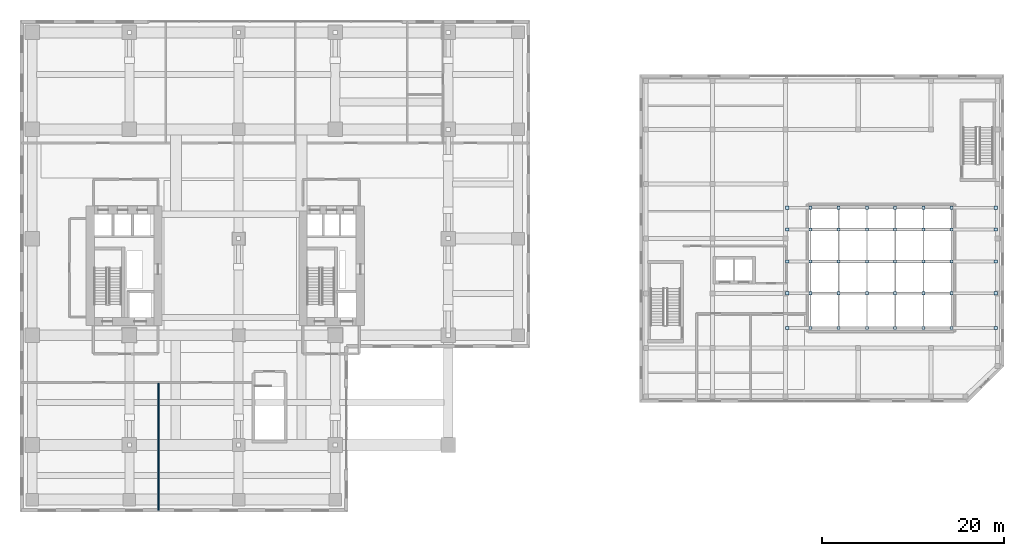
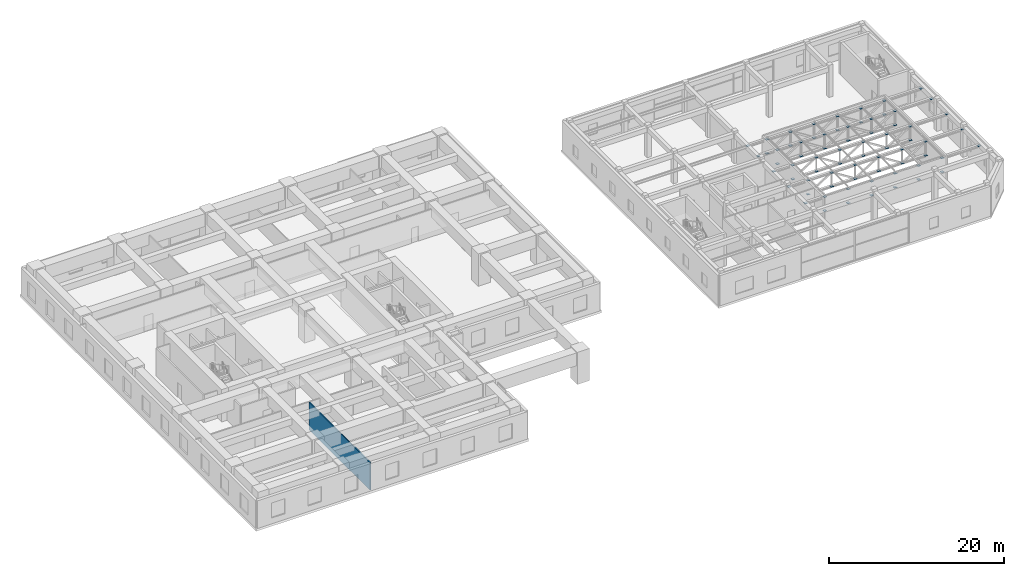
# One storey, part 23 of 33: 70 plates, 1 wall.
"""IFC4 building model written with IfcOpenShell, lengths in metres."""

from ifc_helpers import new_model, si_unit, direction, frame, frame_2d, origin, origin_2d, place, context, subcontext, project, spatial, rectangle, extrude, source, transform, mapped, material, layer, layer_set, type_object, element, save


model = new_model("IFC4")

# Units and contexts
model_context = context("Model", 3, precision=1e-05, world=origin(), true_north=direction((0.0, 1.0)))
body_context = subcontext(model_context, "Body", "Model", "MODEL_VIEW")
ifc_project = project(units=[si_unit("LENGTHUNIT", "METRE"), si_unit("AREAUNIT", "SQUARE_METRE"), si_unit("VOLUMEUNIT", "CUBIC_METRE"), si_unit("PLANEANGLEUNIT", "RADIAN"), si_unit("MASSUNIT", "GRAM", prefix="KILO")], contexts=[model_context])

# Site, building, storey
site_placement = place(None, origin())
site = spatial("IfcSite", under=ifc_project, at=site_placement, CompositionType="ELEMENT")
building_placement = place(site_placement, origin())
building = spatial("IfcBuilding", under=site, at=building_placement, Name="Khoralis Quay Care Tower", CompositionType="ELEMENT")
storey_placement = place(building_placement, frame((0.0, 0.0, 18.0)))
storey = spatial("IfcBuildingStorey", under=building, at=storey_placement, Name="L04", CompositionType="ELEMENT", Elevation=18.0)

# Plates
ifc_material_1 = material(Name="Steel S355", Category="steel")
ifc_layer_1 = layer(ifc_material_1, 0.02001953125)
ifc_layer_set_1 = layer_set([ifc_layer_1], Name="Steel S355")
plate_type = type_object("IfcPlateType", Name="PLT-CAP-350", PredefinedType="USERDEFINED", material=ifc_layer_set_1)
shared_shape = source(origin(), body_context, "Body", "SweptSolid", [
    extrude(rectangle(XDim=0.35009765625, YDim=0.35009765625, at=origin_2d()), origin(), (0.0, 0.0, 1.0), 0.02001953125),
])
for number, where, z_axis, x_axis, name in (
    (1, (84.215087890625, 14.199951171875, 3.7900390625), (0.0, 0.0, 1.0), (1.0, 0.0, 0.0), "PLT-SCCP-1-W"),
    (2, (107.0849609375, 14.199951171875, 3.7900390625), (0.0, 0.0, 1.0), (1.0, 0.0, 0.0), "PLT-SCCP-1-E"),
    (3, (86.75, 14.199951171875, 1.840087890625), (0.0, 0.0, 1.0), (1.0, 0.0, 0.0), "PLT-SCCP-1-0A"),
    (4, (89.85009765625, 14.199951171875, 3.7900390625), (0.0, 0.0, 1.0), (1.0, 0.0, 0.0), "PLT-SCCP-1-0B"),
    (5, (92.949951171875, 14.199951171875, 1.840087890625), (0.0, 0.0, 1.0), (1.0, 0.0, 0.0), "PLT-SCCP-1-1B"),
    (6, (96.050048828125, 14.199951171875, 3.7900390625), (0.0, 0.0, 1.0), (1.0, 0.0, 0.0), "PLT-SCCP-1-2B"),
    (7, (99.14990234375, 14.199951171875, 1.840087890625), (0.0, 0.0, 1.0), (1.0, 0.0, 0.0), "PLT-SCCP-1-3B"),
    (8, (102.25, 14.199951171875, 3.7900390625), (0.0, 0.0, 1.0), (1.0, 0.0, 0.0), "PLT-SCCP-1-4B"),
    (9, (86.75, 14.199951171875, 3.7900390625), (0.0, 0.0, 1.0), (1.0, 0.0, 0.0), "PLT-SCVT-1-0B"),
    (10, (89.85009765625, 14.199951171875, 1.840087890625), (0.0, 0.0, 1.0), (1.0, 0.0, 0.0), "PLT-SCVT-1-1A"),
    (11, (92.949951171875, 14.199951171875, 3.7900390625), (0.0, 0.0, 1.0), (1.0, 0.0, 0.0), "PLT-SCVT-1-2B"),
    (12, (96.050048828125, 14.199951171875, 1.840087890625), (0.0, 0.0, 1.0), (1.0, 0.0, 0.0), "PLT-SCVT-1-3A"),
    (13, (99.14990234375, 14.199951171875, 3.7900390625), (0.0, 0.0, 1.0), (1.0, 0.0, 0.0), "PLT-SCVT-1-4B"),
    (14, (102.25, 14.199951171875, 1.840087890625), (0.0, 0.0, 1.0), (1.0, 0.0, 0.0), "PLT-SCVT-1-5A"),
    (15, (84.215087890625, 18.0, 3.7900390625), (0.0, 0.0, 1.0), (1.0, 0.0, 0.0), "PLT-SCCP-2-W"),
    (16, (107.0849609375, 18.0, 3.7900390625), (0.0, 0.0, 1.0), (1.0, 0.0, 0.0), "PLT-SCCP-2-E"),
    (17, (86.75, 18.0, 1.840087890625), (0.0, 0.0, 1.0), (1.0, 0.0, 0.0), "PLT-SCCP-2-0A"),
    (18, (89.85009765625, 18.0, 3.7900390625), (0.0, 0.0, 1.0), (1.0, 0.0, 0.0), "PLT-SCCP-2-0B"),
    (19, (92.949951171875, 18.0, 1.840087890625), (0.0, 0.0, 1.0), (1.0, 0.0, 0.0), "PLT-SCCP-2-1B"),
    (20, (96.050048828125, 18.0, 3.7900390625), (0.0, 0.0, 1.0), (1.0, 0.0, 0.0), "PLT-SCCP-2-2B"),
    (21, (99.14990234375, 18.0, 1.840087890625), (0.0, 0.0, 1.0), (1.0, 0.0, 0.0), "PLT-SCCP-2-3B"),
    (22, (102.25, 18.0, 3.7900390625), (0.0, 0.0, 1.0), (1.0, 0.0, 0.0), "PLT-SCCP-2-4B"),
    (23, (86.75, 18.0, 3.7900390625), (0.0, 0.0, 1.0), (1.0, 0.0, 0.0), "PLT-SCVT-2-0B"),
    (24, (89.85009765625, 18.0, 1.840087890625), (0.0, 0.0, 1.0), (1.0, 0.0, 0.0), "PLT-SCVT-2-1A"),
    (25, (92.949951171875, 18.0, 3.7900390625), (0.0, 0.0, 1.0), (1.0, 0.0, 0.0), "PLT-SCVT-2-2B"),
    (26, (96.050048828125, 18.0, 1.840087890625), (0.0, 0.0, 1.0), (1.0, 0.0, 0.0), "PLT-SCVT-2-3A"),
    (27, (99.14990234375, 18.0, 3.7900390625), (0.0, 0.0, 1.0), (1.0, 0.0, 0.0), "PLT-SCVT-2-4B"),
    (28, (102.25, 18.0, 1.840087890625), (0.0, 0.0, 1.0), (1.0, 0.0, 0.0), "PLT-SCVT-2-5A"),
    (29, (84.215087890625, 21.5, 3.7900390625), (0.0, 0.0, 1.0), (1.0, 0.0, 0.0), "PLT-SCCP-3-W"),
    (30, (107.0849609375, 21.5, 3.7900390625), (0.0, 0.0, 1.0), (1.0, 0.0, 0.0), "PLT-SCCP-3-E"),
    (31, (86.75, 21.5, 1.840087890625), (0.0, 0.0, 1.0), (1.0, 0.0, 0.0), "PLT-SCCP-3-0A"),
    (32, (89.85009765625, 21.5, 3.7900390625), (0.0, 0.0, 1.0), (1.0, 0.0, 0.0), "PLT-SCCP-3-0B"),
    (33, (92.949951171875, 21.5, 1.840087890625), (0.0, 0.0, 1.0), (1.0, 0.0, 0.0), "PLT-SCCP-3-1B"),
    (34, (96.050048828125, 21.5, 3.7900390625), (0.0, 0.0, 1.0), (1.0, 0.0, 0.0), "PLT-SCCP-3-2B"),
    (35, (99.14990234375, 21.5, 1.840087890625), (0.0, 0.0, 1.0), (1.0, 0.0, 0.0), "PLT-SCCP-3-3B"),
    (36, (102.25, 21.5, 3.7900390625), (0.0, 0.0, 1.0), (1.0, 0.0, 0.0), "PLT-SCCP-3-4B"),
    (37, (86.75, 21.5, 3.7900390625), (0.0, 0.0, 1.0), (1.0, 0.0, 0.0), "PLT-SCVT-3-0B"),
    (38, (89.85009765625, 21.5, 1.840087890625), (0.0, 0.0, 1.0), (1.0, 0.0, 0.0), "PLT-SCVT-3-1A"),
    (39, (92.949951171875, 21.5, 3.7900390625), (0.0, 0.0, 1.0), (1.0, 0.0, 0.0), "PLT-SCVT-3-2B"),
    (40, (96.050048828125, 21.5, 1.840087890625), (0.0, 0.0, 1.0), (1.0, 0.0, 0.0), "PLT-SCVT-3-3A"),
    (41, (99.14990234375, 21.5, 3.7900390625), (0.0, 0.0, 1.0), (1.0, 0.0, 0.0), "PLT-SCVT-3-4B"),
    (42, (102.25, 21.5, 1.840087890625), (0.0, 0.0, 1.0), (1.0, 0.0, 0.0), "PLT-SCVT-3-5A"),
    (43, (84.215087890625, 25.0, 3.7900390625), (0.0, 0.0, 1.0), (1.0, 0.0, 0.0), "PLT-SCCP-4-W"),
    (44, (107.0849609375, 25.0, 3.7900390625), (0.0, 0.0, 1.0), (1.0, 0.0, 0.0), "PLT-SCCP-4-E"),
    (45, (86.75, 25.0, 1.840087890625), (0.0, 0.0, 1.0), (1.0, 0.0, 0.0), "PLT-SCCP-4-0A"),
    (46, (89.85009765625, 25.0, 3.7900390625), (0.0, 0.0, 1.0), (1.0, 0.0, 0.0), "PLT-SCCP-4-0B"),
    (47, (92.949951171875, 25.0, 1.840087890625), (0.0, 0.0, 1.0), (1.0, 0.0, 0.0), "PLT-SCCP-4-1B"),
    (48, (96.050048828125, 25.0, 3.7900390625), (0.0, 0.0, 1.0), (1.0, 0.0, 0.0), "PLT-SCCP-4-2B"),
    (49, (99.14990234375, 25.0, 1.840087890625), (0.0, 0.0, 1.0), (1.0, 0.0, 0.0), "PLT-SCCP-4-3B"),
    (50, (102.25, 25.0, 3.7900390625), (0.0, 0.0, 1.0), (1.0, 0.0, 0.0), "PLT-SCCP-4-4B"),
    (51, (86.75, 25.0, 3.7900390625), (0.0, 0.0, 1.0), (1.0, 0.0, 0.0), "PLT-SCVT-4-0B"),
    (52, (89.85009765625, 25.0, 1.840087890625), (0.0, 0.0, 1.0), (1.0, 0.0, 0.0), "PLT-SCVT-4-1A"),
    (53, (92.949951171875, 25.0, 3.7900390625), (0.0, 0.0, 1.0), (1.0, 0.0, 0.0), "PLT-SCVT-4-2B"),
    (54, (96.050048828125, 25.0, 1.840087890625), (0.0, 0.0, 1.0), (1.0, 0.0, 0.0), "PLT-SCVT-4-3A"),
    (55, (99.14990234375, 25.0, 3.7900390625), (0.0, 0.0, 1.0), (1.0, 0.0, 0.0), "PLT-SCVT-4-4B"),
    (56, (102.25, 25.0, 1.840087890625), (0.0, 0.0, 1.0), (1.0, 0.0, 0.0), "PLT-SCVT-4-5A"),
    (57, (84.215087890625, 27.39990234375, 3.7900390625), (0.0, 0.0, 1.0), (1.0, 0.0, 0.0), "PLT-SCCP-5-W"),
    (58, (107.0849609375, 27.39990234375, 3.7900390625), (0.0, 0.0, 1.0), (1.0, 0.0, 0.0), "PLT-SCCP-5-E"),
    (59, (86.75, 27.39990234375, 1.840087890625), (0.0, 0.0, 1.0), (1.0, 0.0, 0.0), "PLT-SCCP-5-0A"),
    (60, (89.85009765625, 27.39990234375, 3.7900390625), (0.0, 0.0, 1.0), (1.0, 0.0, 0.0), "PLT-SCCP-5-0B"),
    (61, (92.949951171875, 27.39990234375, 1.840087890625), (0.0, 0.0, 1.0), (1.0, 0.0, 0.0), "PLT-SCCP-5-1B"),
    (62, (96.050048828125, 27.39990234375, 3.7900390625), (0.0, 0.0, 1.0), (1.0, 0.0, 0.0), "PLT-SCCP-5-2B"),
    (63, (99.14990234375, 27.39990234375, 1.840087890625), (0.0, 0.0, 1.0), (1.0, 0.0, 0.0), "PLT-SCCP-5-3B"),
    (64, (102.25, 27.39990234375, 3.7900390625), (0.0, 0.0, 1.0), (1.0, 0.0, 0.0), "PLT-SCCP-5-4B"),
    (65, (86.75, 27.39990234375, 3.7900390625), (0.0, 0.0, 1.0), (1.0, 0.0, 0.0), "PLT-SCVT-5-0B"),
    (66, (89.85009765625, 27.39990234375, 1.840087890625), (0.0, 0.0, 1.0), (1.0, 0.0, 0.0), "PLT-SCVT-5-1A"),
    (67, (92.949951171875, 27.39990234375, 3.7900390625), (0.0, 0.0, 1.0), (1.0, 0.0, 0.0), "PLT-SCVT-5-2B"),
    (68, (96.050048828125, 27.39990234375, 1.840087890625), (0.0, 0.0, 1.0), (1.0, 0.0, 0.0), "PLT-SCVT-5-3A"),
    (69, (99.14990234375, 27.39990234375, 3.7900390625), (0.0, 0.0, 1.0), (1.0, 0.0, 0.0), "PLT-SCVT-5-4B"),
    (70, (102.25, 27.39990234375, 1.840087890625), (0.0, 0.0, 1.0), (1.0, 0.0, 0.0), "PLT-SCVT-5-5A"),
):
    element("IfcPlate", number, at=place(storey_placement, frame(where, z_axis=z_axis, x_axis=x_axis)), inside=storey, type_object=plate_type, Name=name, ObjectType="BASE_PLATE", PredefinedType="USERDEFINED", context=body_context, shape_type="MappedRepresentation", body=[
        mapped(shared_shape, transform((0.0, 0.0, 0.0), scale=1.0)),
    ])

# Wall
ifc_material_2 = material(Name="Gypsum plasterboard on acoustic metal stud")
ifc_layer_2 = layer(ifc_material_2, 0.139892578125)
ifc_layer_set_2 = layer_set([ifc_layer_2], Name="Gypsum plasterboard on acoustic metal stud")
wall_type = type_object("IfcWallType", Name="WL-UNIT-140", PredefinedType="PARTITIONING", material=ifc_layer_set_2)
wall_placement = place(storey_placement, frame((15.199951171875, -5.81494140625, 0.0), z_axis=(0.0, 0.0, 1.0), x_axis=(0.0, 1.0, 0.0)))
element("IfcWall", 71, at=wall_placement, inside=storey, type_object=wall_type, Name="L04 Podium South Split", PredefinedType="PARTITIONING", context=body_context, shape_type="SweptSolid", body=[
    extrude(rectangle(XDim=13.9375, YDim=0.139892578125, at=frame_2d((6.96875, 0.0))), origin(), (0.0, 0.0, 1.0), 3.85009765625),
])

save(model, "model.ifc")
